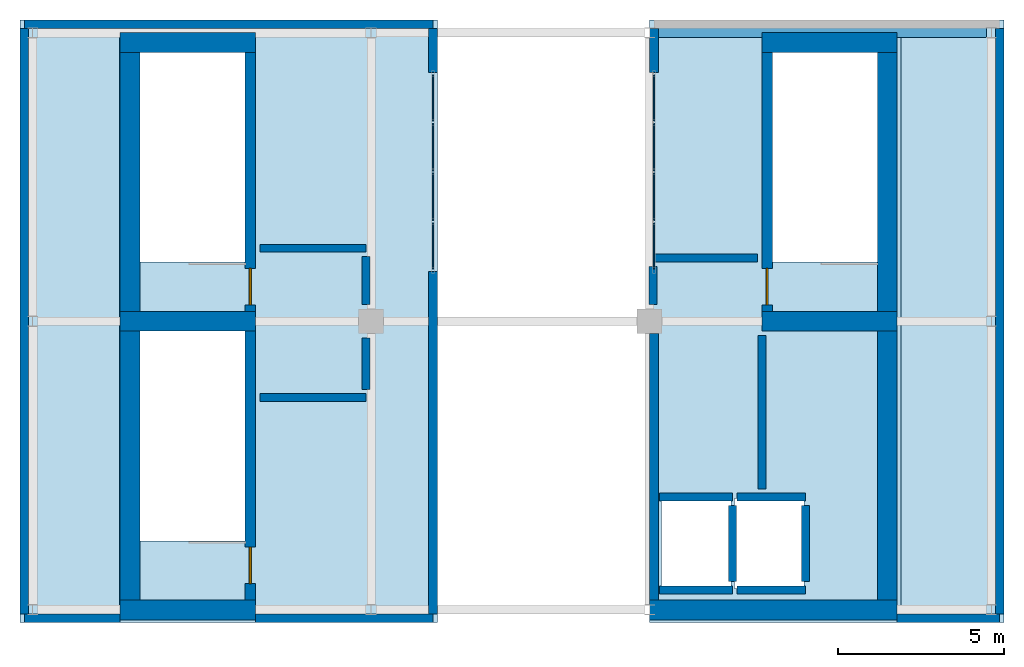
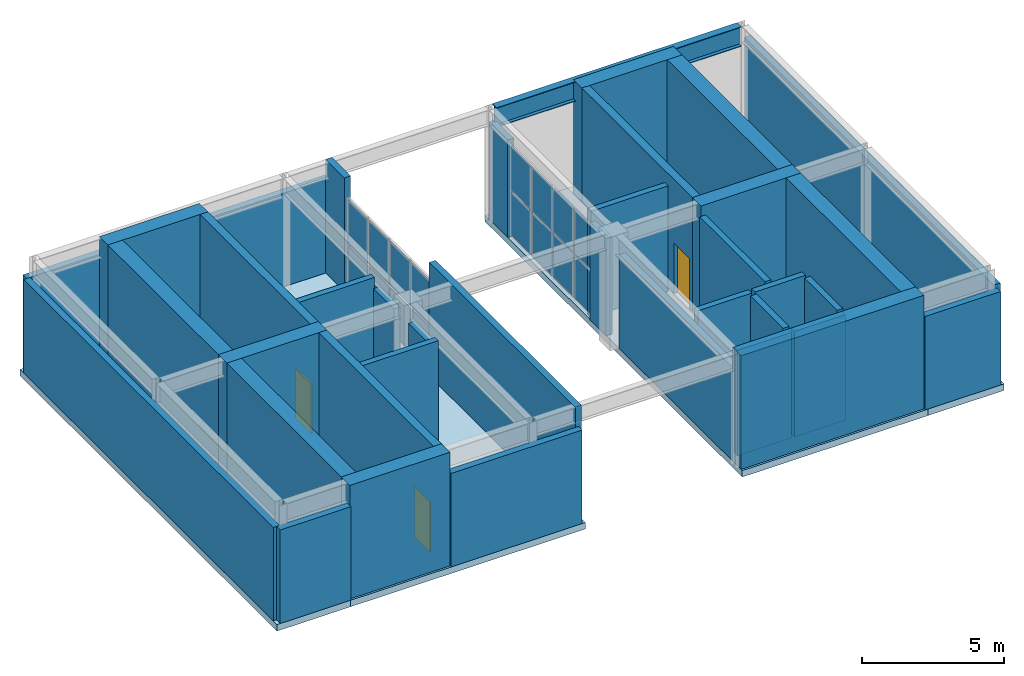
# One storey, part 7 of 9: 34 walls, 16 plates, 4 slabs, 3 doors, 1 beam, 3 openings, 2 elements without a shape of their own.
"""IFC4 building model written with IfcOpenShell, lengths in metres."""

from ifc_helpers import new_model, si_unit, direction, frame, frame_2d, origin, origin_2d, place, context, subcontext, project, spatial, polyline, rectangle, i_section, outline, extrude, material, layer, layer_set, material_profile, profile_set, type_object, element, fill, aggregate, save


model = new_model("IFC4")

# Units and contexts
model_context = context("Model", 3, precision=1e-05, world=origin(), true_north=direction((0.0, 1.0)))
body_context = subcontext(model_context, "Body", "Model", "MODEL_VIEW")
ifc_project = project(units=[si_unit("LENGTHUNIT", "METRE"), si_unit("AREAUNIT", "SQUARE_METRE"), si_unit("VOLUMEUNIT", "CUBIC_METRE"), si_unit("PLANEANGLEUNIT", "RADIAN"), si_unit("MASSUNIT", "GRAM", prefix="KILO")], contexts=[model_context])

# Site, building, storey
site_placement = place(None, origin())
site = spatial("IfcSite", under=ifc_project, at=site_placement, CompositionType="ELEMENT")
building_placement = place(site_placement, origin())
building = spatial("IfcBuilding", under=site, at=building_placement, Name="Solanera Arch Residences", CompositionType="ELEMENT")
storey_placement = place(building_placement, frame((0.0, 0.0, 297.679931640625)))
storey = spatial("IfcBuildingStorey", under=building, at=storey_placement, Name="L84", CompositionType="ELEMENT", Elevation=297.679931640625)

# Beam
ifc_material_1 = material(Name="Steel S355 (ASTM A992 / A572 Grade 50)", Category="steel")
ifc_material_profile = material_profile(ifc_material_1, i_section(OverallWidth=0.2939453125, OverallDepth=0.85107421875, WebThickness=0.01611328125, FlangeThickness=0.02685546875, at=origin_2d()))
ifc_profile_set = profile_set([ifc_material_profile], Name="Steel S355 (ASTM A992 / A572 Grade 50)")
beam_type = type_object("IfcBeamType", Name="Primary Beam W840X226", PredefinedType="BEAM", material=ifc_profile_set)
beam_placement = place(storey_placement, frame((29.35205078125, 39.39990234375, 4.47412109375), z_axis=(1.0, 0.0, 0.0), x_axis=(0.0, 1.0, 0.0)))
element("IfcBeam", 1, at=beam_placement, inside=storey, type_object=beam_type, Name="BM-L84-CR-EN", PredefinedType="BEAM", context=body_context, shape_type="SweptSolid", body=[
    extrude(i_section(OverallWidth=0.2939453125, OverallDepth=0.85107421875, WebThickness=0.01611328125, FlangeThickness=0.02685546875, at=origin_2d()), origin(), (0.0, 0.0, 1.0), 9.995849609375),
])

# Curtain wall, plates
ifc_material_2 = material(Name="Anodised Aluminium Alloy 6063-T6", Category="aluminium")
ifc_layer_1 = layer(ifc_material_2, 0.179931640625)
ifc_layer_set_1 = layer_set([ifc_layer_1], Name="Anodised Aluminium Alloy 6063-T6")
curtain_wall_type = type_object("IfcCurtainWallType", Name="CW-6 Split-Top Crown Lantern Curtain Wall", PredefinedType="USERDEFINED", material=ifc_layer_set_1)
curtain_wall_1_placement = place(storey_placement, origin())
curtain_wall_1 = element("IfcCurtainWall", 2, at=curtain_wall_1_placement, inside=storey, type_object=curtain_wall_type, Name="L84 W Crown Cleft Lantern Curtain Wall", ObjectType="CURTAIN_WALL", PredefinedType="USERDEFINED")
ifc_material_3 = material(Name="Double Glazed Low-E Laminated Glass", Category="glass")
ifc_layer_2 = layer(ifc_material_3, 0.035888671875)
ifc_layer_set_2 = layer_set([ifc_layer_2], Name="Double Glazed Low-E Laminated Glass")
plate_type = type_object("IfcPlateType", Name="Low-Iron Observatory Panel GL-36", PredefinedType="CURTAIN_PANEL", material=ifc_layer_set_2)
plate_1_placement = place(storey_placement, frame((22.669921875, 32.969970703125, 0.080078125), z_axis=(0.0, 0.0, 1.0), x_axis=(0.0, 1.0, 0.0)))
plate_1 = element("IfcPlate", 3, at=plate_1_placement, type_object=plate_type, Name="CW-6 panel 1.1", PredefinedType="CURTAIN_PANEL", context=body_context, shape_type="SweptSolid", body=[
    extrude(rectangle(XDim=1.3798828125, YDim=0.035888671875, at=origin_2d()), origin(), (0.0, 0.0, 1.0), 1.8798828125),
])
plate_2_placement = place(storey_placement, frame((22.669921875, 32.969970703125, 2.0400390625), z_axis=(0.0, 0.0, 1.0), x_axis=(0.0, 1.0, 0.0)))
plate_2 = element("IfcPlate", 4, at=plate_2_placement, type_object=plate_type, Name="CW-6 panel 1.2", PredefinedType="CURTAIN_PANEL", context=body_context, shape_type="SweptSolid", body=[
    extrude(rectangle(XDim=1.3798828125, YDim=0.035888671875, at=origin_2d()), origin(), (0.0, 0.0, 1.0), 1.919921875),
])
plate_3_placement = place(storey_placement, frame((22.669921875, 34.449951171875, 0.080078125), z_axis=(0.0, 0.0, 1.0), x_axis=(0.0, 1.0, 0.0)))
plate_3 = element("IfcPlate", 5, at=plate_3_placement, type_object=plate_type, Name="CW-6 panel 2.1", PredefinedType="CURTAIN_PANEL", context=body_context, shape_type="SweptSolid", body=[
    extrude(rectangle(XDim=1.419921875, YDim=0.035888671875, at=origin_2d()), origin(), (0.0, 0.0, 1.0), 1.8798828125),
])
plate_4_placement = place(storey_placement, frame((22.669921875, 34.449951171875, 2.0400390625), z_axis=(0.0, 0.0, 1.0), x_axis=(0.0, 1.0, 0.0)))
plate_4 = element("IfcPlate", 6, at=plate_4_placement, type_object=plate_type, Name="CW-6 panel 2.2", PredefinedType="CURTAIN_PANEL", context=body_context, shape_type="SweptSolid", body=[
    extrude(rectangle(XDim=1.419921875, YDim=0.035888671875, at=origin_2d()), origin(), (0.0, 0.0, 1.0), 1.919921875),
])
plate_5_placement = place(storey_placement, frame((22.669921875, 35.949951171875, 0.080078125), z_axis=(0.0, 0.0, 1.0), x_axis=(0.0, 1.0, 0.0)))
plate_5 = element("IfcPlate", 7, at=plate_5_placement, type_object=plate_type, Name="CW-6 panel 3.1", PredefinedType="CURTAIN_PANEL", context=body_context, shape_type="SweptSolid", body=[
    extrude(rectangle(XDim=1.419921875, YDim=0.035888671875, at=origin_2d()), origin(), (0.0, 0.0, 1.0), 1.8798828125),
])
plate_6_placement = place(storey_placement, frame((22.669921875, 35.949951171875, 2.0400390625), z_axis=(0.0, 0.0, 1.0), x_axis=(0.0, 1.0, 0.0)))
plate_6 = element("IfcPlate", 8, at=plate_6_placement, type_object=plate_type, Name="CW-6 panel 3.2", PredefinedType="CURTAIN_PANEL", context=body_context, shape_type="SweptSolid", body=[
    extrude(rectangle(XDim=1.419921875, YDim=0.035888671875, at=origin_2d()), origin(), (0.0, 0.0, 1.0), 1.919921875),
])
plate_7_placement = place(storey_placement, frame((22.669921875, 37.429931640625, 0.080078125), z_axis=(0.0, 0.0, 1.0), x_axis=(0.0, 1.0, 0.0)))
plate_7 = element("IfcPlate", 9, at=plate_7_placement, type_object=plate_type, Name="CW-6 panel 4.1", PredefinedType="CURTAIN_PANEL", context=body_context, shape_type="SweptSolid", body=[
    extrude(rectangle(XDim=1.3798828125, YDim=0.035888671875, at=origin_2d()), origin(), (0.0, 0.0, 1.0), 1.8798828125),
])
plate_8_placement = place(storey_placement, frame((22.669921875, 37.429931640625, 2.0400390625), z_axis=(0.0, 0.0, 1.0), x_axis=(0.0, 1.0, 0.0)))
plate_8 = element("IfcPlate", 10, at=plate_8_placement, type_object=plate_type, Name="CW-6 panel 4.2", PredefinedType="CURTAIN_PANEL", context=body_context, shape_type="SweptSolid", body=[
    extrude(rectangle(XDim=1.3798828125, YDim=0.035888671875, at=origin_2d()), origin(), (0.0, 0.0, 1.0), 1.919921875),
])
aggregate(curtain_wall_1, [plate_1, plate_2, plate_3, plate_4, plate_5, plate_6, plate_7, plate_8])

curtain_wall_2_placement = place(storey_placement, origin())
curtain_wall_2 = element("IfcCurtainWall", 11, at=curtain_wall_2_placement, inside=storey, type_object=curtain_wall_type, Name="L84 E Crown Cleft Lantern Curtain Wall", ObjectType="CURTAIN_WALL", PredefinedType="USERDEFINED")
plate_9_placement = place(storey_placement, frame((29.330078125, 32.969970703125, 0.080078125), z_axis=(0.0, 0.0, 1.0), x_axis=(0.0, 1.0, 0.0)))
plate_9 = element("IfcPlate", 12, at=plate_9_placement, type_object=plate_type, Name="CW-6 panel 1.1", PredefinedType="CURTAIN_PANEL", context=body_context, shape_type="SweptSolid", body=[
    extrude(rectangle(XDim=1.3798828125, YDim=0.035888671875, at=origin_2d()), origin(), (0.0, 0.0, 1.0), 1.8798828125),
])
plate_10_placement = place(storey_placement, frame((29.330078125, 32.969970703125, 2.0400390625), z_axis=(0.0, 0.0, 1.0), x_axis=(0.0, 1.0, 0.0)))
plate_10 = element("IfcPlate", 13, at=plate_10_placement, type_object=plate_type, Name="CW-6 panel 1.2", PredefinedType="CURTAIN_PANEL", context=body_context, shape_type="SweptSolid", body=[
    extrude(rectangle(XDim=1.3798828125, YDim=0.035888671875, at=origin_2d()), origin(), (0.0, 0.0, 1.0), 1.919921875),
])
plate_11_placement = place(storey_placement, frame((29.330078125, 34.449951171875, 0.080078125), z_axis=(0.0, 0.0, 1.0), x_axis=(0.0, 1.0, 0.0)))
plate_11 = element("IfcPlate", 14, at=plate_11_placement, type_object=plate_type, Name="CW-6 panel 2.1", PredefinedType="CURTAIN_PANEL", context=body_context, shape_type="SweptSolid", body=[
    extrude(rectangle(XDim=1.419921875, YDim=0.035888671875, at=origin_2d()), origin(), (0.0, 0.0, 1.0), 1.8798828125),
])
plate_12_placement = place(storey_placement, frame((29.330078125, 34.449951171875, 2.0400390625), z_axis=(0.0, 0.0, 1.0), x_axis=(0.0, 1.0, 0.0)))
plate_12 = element("IfcPlate", 15, at=plate_12_placement, type_object=plate_type, Name="CW-6 panel 2.2", PredefinedType="CURTAIN_PANEL", context=body_context, shape_type="SweptSolid", body=[
    extrude(rectangle(XDim=1.419921875, YDim=0.035888671875, at=origin_2d()), origin(), (0.0, 0.0, 1.0), 1.919921875),
])
plate_13_placement = place(storey_placement, frame((29.330078125, 35.949951171875, 0.080078125), z_axis=(0.0, 0.0, 1.0), x_axis=(0.0, 1.0, 0.0)))
plate_13 = element("IfcPlate", 16, at=plate_13_placement, type_object=plate_type, Name="CW-6 panel 3.1", PredefinedType="CURTAIN_PANEL", context=body_context, shape_type="SweptSolid", body=[
    extrude(rectangle(XDim=1.419921875, YDim=0.035888671875, at=origin_2d()), origin(), (0.0, 0.0, 1.0), 1.8798828125),
])
plate_14_placement = place(storey_placement, frame((29.330078125, 35.949951171875, 2.0400390625), z_axis=(0.0, 0.0, 1.0), x_axis=(0.0, 1.0, 0.0)))
plate_14 = element("IfcPlate", 17, at=plate_14_placement, type_object=plate_type, Name="CW-6 panel 3.2", PredefinedType="CURTAIN_PANEL", context=body_context, shape_type="SweptSolid", body=[
    extrude(rectangle(XDim=1.419921875, YDim=0.035888671875, at=origin_2d()), origin(), (0.0, 0.0, 1.0), 1.919921875),
])
plate_15_placement = place(storey_placement, frame((29.330078125, 37.429931640625, 0.080078125), z_axis=(0.0, 0.0, 1.0), x_axis=(0.0, 1.0, 0.0)))
plate_15 = element("IfcPlate", 18, at=plate_15_placement, type_object=plate_type, Name="CW-6 panel 4.1", PredefinedType="CURTAIN_PANEL", context=body_context, shape_type="SweptSolid", body=[
    extrude(rectangle(XDim=1.3798828125, YDim=0.035888671875, at=origin_2d()), origin(), (0.0, 0.0, 1.0), 1.8798828125),
])
plate_16_placement = place(storey_placement, frame((29.330078125, 37.429931640625, 2.0400390625), z_axis=(0.0, 0.0, 1.0), x_axis=(0.0, 1.0, 0.0)))
plate_16 = element("IfcPlate", 19, at=plate_16_placement, type_object=plate_type, Name="CW-6 panel 4.2", PredefinedType="CURTAIN_PANEL", context=body_context, shape_type="SweptSolid", body=[
    extrude(rectangle(XDim=1.3798828125, YDim=0.035888671875, at=origin_2d()), origin(), (0.0, 0.0, 1.0), 1.919921875),
])
aggregate(curtain_wall_2, [plate_9, plate_10, plate_11, plate_12, plate_13, plate_14, plate_15, plate_16])

# Slabs
ifc_material_4 = material(Name="Concrete C40/50 (f'c = 45 MPa)", Category="concrete")
ifc_layer_3 = layer(ifc_material_4, 0.239990234375)
ifc_layer_set_3 = layer_set([ifc_layer_3], Name="Concrete C40/50 (f'c = 45 MPa)")
slab_type_1 = type_object("IfcSlabType", Name="Roof Deck Slab 240", PredefinedType="ROOF", material=ifc_layer_set_3)
slab_1_placement = place(storey_placement, frame((0.0, 0.0, -0.280029296875)))
element("IfcSlab", 20, at=slab_1_placement, inside=storey, type_object=slab_type_1, Name="L84 Crown Peak Plenum Deck WO", PredefinedType="ROOF", context=body_context, shape_type="SweptSolid", body=[
    extrude(outline(polyline([(13.219970703125, 21.6201171875), (13.219970703125, 39.780029296875), (10.219970703125, 39.780029296875), (10.219970703125, 21.6201171875), (13.219970703125, 21.6201171875)])), origin(), (0.0, 0.0, 1.0), 0.280029296875),
])
slab_2_placement = place(storey_placement, frame((0.0, 0.0, -0.280029296875)))
element("IfcSlab", 21, at=slab_2_placement, inside=storey, type_object=slab_type_1, Name="L84 Crown Peak Plenum Deck EO", PredefinedType="ROOF", context=body_context, shape_type="SweptSolid", body=[
    extrude(outline(polyline([(39.8798828125, 21.6201171875), (39.8798828125, 39.780029296875), (36.780029296875, 39.780029296875), (36.780029296875, 21.6201171875), (39.8798828125, 21.6201171875)])), origin(), (0.0, 0.0, 1.0), 0.280029296875),
])
ifc_material_5 = material(Name="Concrete C40/50 (f'c = 45 MPa)", Category="concrete")
ifc_layer_4 = layer(ifc_material_5, 0.280029296875)
ifc_layer_set_4 = layer_set([ifc_layer_4], Name="Concrete C40/50 (f'c = 45 MPa)")
slab_type_2 = type_object("IfcSlabType", Name="Suspended Floor Slab Post-Tensioned 280", PredefinedType="FLOOR", material=ifc_layer_set_4)
slab_3_placement = place(storey_placement, frame((0.0, 0.0, -0.280029296875)))
element("IfcSlab", 22, at=slab_3_placement, inside=storey, type_object=slab_type_2, Name="L84 West Crown Core Landing Slab", PredefinedType="FLOOR", context=body_context, shape_type="SweptSolid", body=[
    extrude(outline(polyline([(22.800048828125, 21.6201171875), (22.800048828125, 39.780029296875), (13.199951171875, 39.780029296875), (13.199951171875, 21.6201171875), (22.800048828125, 21.6201171875)]), holes=[polyline([(13.840087890625, 32.48291015625), (13.840087890625, 38.800048828125), (17.0, 38.800048828125), (17.0, 32.48291015625), (13.840087890625, 32.48291015625)]), polyline([(13.840087890625, 24.0830078125), (13.840087890625, 30.39990234375), (17.0, 30.39990234375), (17.0, 24.0830078125), (13.840087890625, 24.0830078125)])]), origin(), (0.0, 0.0, 1.0), 0.280029296875),
])
slab_4_placement = place(storey_placement, frame((0.0, 0.0, -0.280029296875)))
element("IfcSlab", 23, at=slab_4_placement, inside=storey, type_object=slab_type_2, Name="L84 East Crown Core Landing Slab", PredefinedType="FLOOR", context=body_context, shape_type="SweptSolid", body=[
    extrude(outline(polyline([(36.800048828125, 21.6201171875), (36.800048828125, 39.780029296875), (29.199951171875, 39.780029296875), (29.199951171875, 21.6201171875), (36.800048828125, 21.6201171875)]), holes=[polyline([(32.89990234375, 32.48291015625), (32.89990234375, 38.800048828125), (36.06005859375, 38.800048828125), (36.06005859375, 32.48291015625), (32.89990234375, 32.48291015625)]), polyline([(29.550048828125, 25.35009765625), (31.64990234375, 25.35009765625), (31.64990234375, 22.64990234375), (29.550048828125, 22.64990234375), (29.550048828125, 25.35009765625)]), polyline([(31.75, 25.35009765625), (33.85009765625, 25.35009765625), (33.85009765625, 22.64990234375), (31.75, 22.64990234375), (31.75, 25.35009765625)])]), origin(), (0.0, 0.0, 1.0), 0.280029296875),
])

# Wall, opening, door
ifc_material_6 = material(Name="Concrete C40/50 (f'c = 45 MPa)", Category="concrete")
ifc_layer_5 = layer(ifc_material_6, 0.320068359375)
ifc_layer_set_5 = layer_set([ifc_layer_5], Name="Concrete C40/50 (f'c = 45 MPa)")
wall_type_1 = type_object("IfcWallType", Name="Core Shear Wall CW-320", PredefinedType="SHEAR", material=ifc_layer_set_5)
wall_1_placement = place(storey_placement, frame((17.159912109375, 31.0, 0.0), z_axis=(0.0, 0.0, 1.0), x_axis=(0.0, 1.0, 0.0)))
wall_1 = element("IfcWall", 24, at=wall_1_placement, inside=storey, type_object=wall_type_1, Name="L84 Stair ST-T1 East Shear Wall", PredefinedType="SHEAR", context=body_context, shape_type="SweptSolid", body=[
    extrude(rectangle(XDim=7.800048828125, YDim=0.320068359375, at=frame_2d((3.89990234375, 0.0))), origin(), (0.0, 0.0, 1.0), 4.900146484375),
])
opening_1_placement = place(wall_1_placement, frame((0.18994140625, 0.0, 0.0)))
opening_1 = element("IfcOpeningElement", 25, at=opening_1_placement, cuts=wall_1, Name="Opening DF-01", PredefinedType="OPENING", context=body_context, shape_type="SweptSolid", body=[
    extrude(rectangle(XDim=1.10009765625, YDim=2.14990234375, at=frame_2d((0.550048828125, 1.074951171875))), frame((0.0, 0.169921875, 0.0), z_axis=(0.0, -1.0, 0.0), x_axis=(1.0, 0.0, 0.0)), (0.0, 0.0, 1.0), 0.3401),
])
ifc_material_7 = material(Name="Fire-Rated Architectural Hardwood", Category="wood")
door_type = type_object("IfcDoorType", Name="Stair Exit Fire Door DF-01", OperationType="NOTDEFINED", PredefinedType="DOOR", material=ifc_material_7)
door_1_placement = place(opening_1_placement, origin())
door_1 = element("IfcDoor", 26, at=door_1_placement, inside=storey, type_object=door_type, Name="DR-L84-STAIR-ST-T1", OperationType="SINGLE_SWING_RIGHT", OverallHeight=2.14990234375, OverallWidth=1.10009765625, PredefinedType="DOOR", context=body_context, shape_type="SweptSolid", body=[
    extrude(rectangle(XDim=1.10009765625, YDim=2.14990234375, at=frame_2d((0.550048828125, 1.074951171875))), frame((0.0, 0.02490234375, 0.0), z_axis=(0.0, -1.0, 0.0), x_axis=(1.0, 0.0, 0.0)), (0.0, 0.0, 1.0), 0.050048828125),
])
fill(opening_1, door_1)

wall_2_placement = place(storey_placement, frame((17.159912109375, 22.300048828125, 0.0), z_axis=(0.0, 0.0, 1.0), x_axis=(0.0, 1.0, 0.0)))
wall_2 = element("IfcWall", 27, at=wall_2_placement, inside=storey, type_object=wall_type_1, Name="L84 Stair ST-T3 East Shear Wall", PredefinedType="SHEAR", context=body_context, shape_type="SweptSolid", body=[
    extrude(rectangle(XDim=8.099853515625, YDim=0.320068359375, at=frame_2d((4.0498046875, 0.0))), origin(), (0.0, 0.0, 1.0), 4.900146484375),
])
opening_2_placement = place(wall_2_placement, frame((0.489990234375, 0.0, 0.0)))
opening_2 = element("IfcOpeningElement", 28, at=opening_2_placement, cuts=wall_2, Name="Opening DF-01", PredefinedType="OPENING", context=body_context, shape_type="SweptSolid", body=[
    extrude(rectangle(XDim=1.10009765625, YDim=2.14990234375, at=frame_2d((0.550048828125, 1.074951171875))), frame((0.0, 0.169921875, 0.0), z_axis=(0.0, -1.0, 0.0), x_axis=(1.0, 0.0, 0.0)), (0.0, 0.0, 1.0), 0.3401),
])
door_2_placement = place(opening_2_placement, origin())
door_2 = element("IfcDoor", 29, at=door_2_placement, inside=storey, type_object=door_type, Name="DR-L84-STAIR-ST-T3", OperationType="SINGLE_SWING_RIGHT", OverallHeight=2.14990234375, OverallWidth=1.10009765625, PredefinedType="DOOR", context=body_context, shape_type="SweptSolid", body=[
    extrude(rectangle(XDim=1.10009765625, YDim=2.14990234375, at=frame_2d((0.550048828125, 1.074951171875))), frame((0.0, 0.02490234375, 0.0), z_axis=(0.0, -1.0, 0.0), x_axis=(1.0, 0.0, 0.0)), (0.0, 0.0, 1.0), 0.050048828125),
])
fill(opening_2, door_2)

wall_3_placement = place(storey_placement, frame((32.739990234375, 31.0, 0.0), z_axis=(0.0, 0.0, 1.0), x_axis=(0.0, 1.0, 0.0)))
wall_3 = element("IfcWall", 30, at=wall_3_placement, inside=storey, type_object=wall_type_1, Name="L84 Stair ST-T2 West Shear Wall", PredefinedType="SHEAR", context=body_context, shape_type="SweptSolid", body=[
    extrude(rectangle(XDim=7.800048828125, YDim=0.320068359375, at=frame_2d((3.89990234375, 0.0))), origin(), (0.0, 0.0, 1.0), 4.900146484375),
])
opening_3_placement = place(wall_3_placement, frame((0.18994140625, 0.0, 0.0)))
opening_3 = element("IfcOpeningElement", 31, at=opening_3_placement, cuts=wall_3, Name="Opening DF-01", PredefinedType="OPENING", context=body_context, shape_type="SweptSolid", body=[
    extrude(rectangle(XDim=1.10009765625, YDim=2.14990234375, at=frame_2d((0.550048828125, 1.074951171875))), frame((0.0, 0.169921875, 0.0), z_axis=(0.0, -1.0, 0.0), x_axis=(1.0, 0.0, 0.0)), (0.0, 0.0, 1.0), 0.3401),
])
door_3_placement = place(opening_3_placement, origin())
door_3 = element("IfcDoor", 32, at=door_3_placement, inside=storey, type_object=door_type, Name="DR-L84-STAIR-ST-T2", OperationType="SINGLE_SWING_LEFT", OverallHeight=2.14990234375, OverallWidth=1.10009765625, PredefinedType="DOOR", context=body_context, shape_type="SweptSolid", body=[
    extrude(rectangle(XDim=1.10009765625, YDim=2.14990234375, at=frame_2d((0.550048828125, 1.074951171875))), frame((0.0, 0.02490234375, 0.0), z_axis=(0.0, -1.0, 0.0), x_axis=(1.0, 0.0, 0.0)), (0.0, 0.0, 1.0), 0.050048828125),
])
fill(opening_3, door_3)

# Walls
ifc_material_8 = material(Name="Concrete C40/50 (f'c = 45 MPa)", Category="concrete")
ifc_layer_6 = layer(ifc_material_8, 0.60009765625)
ifc_layer_set_6 = layer_set([ifc_layer_6], Name="Concrete C40/50 (f'c = 45 MPa)")
wall_type_2 = type_object("IfcWallType", Name="Core Shear Wall CW-600", PredefinedType="SHEAR", material=ifc_layer_set_6)
wall_4_placement = place(storey_placement, frame((13.5400390625, 22.0, 0.0), z_axis=(0.0, 0.0, 1.0), x_axis=(0.0, 1.0, 0.0)))
element("IfcWall", 33, at=wall_4_placement, inside=storey, type_object=wall_type_2, Name="L84 West Core Shear Wall", PredefinedType="SHEAR", context=body_context, shape_type="SweptSolid", body=[
    extrude(rectangle(XDim=17.39990234375, YDim=0.60009765625, at=frame_2d((8.699951171875, 0.0))), origin(), (0.0, 0.0, 1.0), 4.900146484375),
])
for number, where, z_axis, x_axis, name in (
    (34, (13.239990234375, 22.0, 0.0), (0.0, 0.0, 1.0), (1.0, 0.0, 0.0), "L84 South-West Core Shear Wall"),
    (35, (13.239990234375, 39.10009765625, 0.0), (0.0, 0.0, 1.0), (1.0, 0.0, 0.0), "L84 North-West Core Shear Wall"),
    (36, (13.239990234375, 30.699951171875, 0.0), (0.0, 0.0, 1.0), (1.0, 0.0, 0.0), "L84 West Stair Divider Shear Wall"),
):
    element("IfcWall", number, at=place(storey_placement, frame(where, z_axis=z_axis, x_axis=x_axis)), inside=storey, type_object=wall_type_2, Name=name, PredefinedType="SHEAR", context=body_context, shape_type="SweptSolid", body=[
        extrude(rectangle(XDim=4.080078125, YDim=0.60009765625, at=frame_2d((2.0400390625, 0.0))), origin(), (0.0, 0.0, 1.0), 4.900146484375),
    ])
wall_5_placement = place(storey_placement, frame((36.360107421875, 22.0, 0.0), z_axis=(0.0, 0.0, 1.0), x_axis=(0.0, 1.0, 0.0)))
element("IfcWall", 37, at=wall_5_placement, inside=storey, type_object=wall_type_2, Name="L84 East Core Shear Wall", PredefinedType="SHEAR", context=body_context, shape_type="SweptSolid", body=[
    extrude(rectangle(XDim=17.39990234375, YDim=0.60009765625, at=frame_2d((8.699951171875, 0.0))), origin(), (0.0, 0.0, 1.0), 4.900146484375),
])
wall_6_placement = place(storey_placement, frame((29.199951171875, 22.0, 0.0), z_axis=(0.0, 0.0, 1.0), x_axis=(1.0, 0.0, 0.0)))
element("IfcWall", 38, at=wall_6_placement, inside=storey, type_object=wall_type_2, Name="L84 South-East Core Shear Wall", PredefinedType="SHEAR", context=body_context, shape_type="SweptSolid", body=[
    extrude(rectangle(XDim=7.4599609375, YDim=0.60009765625, at=frame_2d((3.72998046875, 0.0))), origin(), (0.0, 0.0, 1.0), 4.900146484375),
])
for number, where, z_axis, x_axis, name in (
    (39, (32.580078125, 39.10009765625, 0.0), (0.0, 0.0, 1.0), (1.0, 0.0, 0.0), "L84 North-East Core Shear Wall"),
    (40, (32.580078125, 30.699951171875, 0.0), (0.0, 0.0, 1.0), (1.0, 0.0, 0.0), "L84 East Stair Far-Landing Shear Wall"),
):
    element("IfcWall", number, at=place(storey_placement, frame(where, z_axis=z_axis, x_axis=x_axis)), inside=storey, type_object=wall_type_2, Name=name, PredefinedType="SHEAR", context=body_context, shape_type="SweptSolid", body=[
        extrude(rectangle(XDim=4.079833984375, YDim=0.60009765625, at=frame_2d((2.0400390625, 0.0))), origin(), (0.0, 0.0, 1.0), 4.900146484375),
    ])
ifc_material_9 = material(Name="Precast Concrete C35/45", Category="concrete")
ifc_layer_7 = layer(ifc_material_9, 0.260009765625)
ifc_layer_set_7 = layer_set([ifc_layer_7], Name="Precast Concrete C35/45")
wall_type_3 = type_object("IfcWallType", Name="Exterior Wall Precast Masonry-Frame 260", PredefinedType="STANDARD", material=ifc_layer_set_7)
wall_7_placement = place(storey_placement, frame((22.669921875, 21.75, 0.0), z_axis=(0.0, 0.0, 1.0), x_axis=(-1.0, 0.0, 0.0)))
element("IfcWall", 41, at=wall_7_placement, inside=storey, type_object=wall_type_3, Name="L84 W Crown Peak South Precast Wall 1", PredefinedType="STANDARD", context=body_context, shape_type="SweptSolid", body=[
    extrude(rectangle(XDim=5.349853515625, YDim=0.260009765625, at=frame_2d((2.6748046875, 0.0))), origin(), (0.0, 0.0, 1.0), 4.0341796875),
])
wall_8_placement = place(storey_placement, frame((13.239990234375, 21.75, 0.0), z_axis=(0.0, 0.0, 1.0), x_axis=(-1.0, 0.0, 0.0)))
element("IfcWall", 42, at=wall_8_placement, inside=storey, type_object=wall_type_3, Name="L84 W Crown Peak South Precast Wall 2", PredefinedType="STANDARD", context=body_context, shape_type="SweptSolid", body=[
    extrude(rectangle(XDim=2.889892578125, YDim=0.260009765625, at=frame_2d((1.44482421875, 0.0))), origin(), (0.0, 0.0, 1.0), 4.0341796875),
])
wall_9_placement = place(storey_placement, frame((10.35009765625, 39.64990234375, 0.0), z_axis=(0.0, 0.0, 1.0), x_axis=(1.0, 0.0, 0.0)))
element("IfcWall", 43, at=wall_9_placement, inside=storey, type_object=wall_type_3, Name="L84 W Crown Peak North Precast Wall", PredefinedType="STANDARD", context=body_context, shape_type="SweptSolid", body=[
    extrude(rectangle(XDim=12.31982421875, YDim=0.260009765625, at=frame_2d((6.159912109375, 0.0))), origin(), (0.0, 0.0, 1.0), 4.0341796875),
])
wall_10_placement = place(storey_placement, frame((10.35009765625, 21.8798828125, 0.0), z_axis=(0.0, 0.0, 1.0), x_axis=(0.0, 1.0, 0.0)))
element("IfcWall", 44, at=wall_10_placement, inside=storey, type_object=wall_type_3, Name="L84 W Crown Peak Outer Precast Wall", PredefinedType="STANDARD", context=body_context, shape_type="SweptSolid", body=[
    extrude(rectangle(XDim=17.64013671875, YDim=0.260009765625, at=frame_2d((8.820068359375, 0.0))), origin(), (0.0, 0.0, 1.0), 4.0341796875),
])
wall_11_placement = place(storey_placement, frame((22.669921875, 21.8798828125, 0.0), z_axis=(0.0, 0.0, 1.0), x_axis=(0.0, 1.0, 0.0)))
element("IfcWall", 45, at=wall_11_placement, inside=storey, type_object=wall_type_3, Name="L84 W Cleft Cheek South Wall", PredefinedType="STANDARD", context=body_context, shape_type="SweptSolid", body=[
    extrude(rectangle(XDim=10.320068359375, YDim=0.260009765625, at=frame_2d((5.16015625, 0.0))), origin(), (0.0, 0.0, 1.0), 4.900146484375),
])
wall_12_placement = place(storey_placement, frame((22.669921875, 38.199951171875, 0.0), z_axis=(0.0, 0.0, 1.0), x_axis=(0.0, 1.0, 0.0)))
element("IfcWall", 46, at=wall_12_placement, inside=storey, type_object=wall_type_3, Name="L84 W Cleft Cheek North Wall", PredefinedType="STANDARD", context=body_context, shape_type="SweptSolid", body=[
    extrude(rectangle(XDim=1.320068359375, YDim=0.260009765625, at=frame_2d((0.66015625, 0.0))), origin(), (0.0, 0.0, 1.0), 4.900146484375),
])
wall_13_placement = place(storey_placement, frame((39.75, 21.75, 0.0), z_axis=(0.0, 0.0, 1.0), x_axis=(-1.0, 0.0, 0.0)))
element("IfcWall", 47, at=wall_13_placement, inside=storey, type_object=wall_type_3, Name="L84 E Crown Peak South Precast Wall", PredefinedType="STANDARD", context=body_context, shape_type="SweptSolid", body=[
    extrude(rectangle(XDim=3.090087890625, YDim=0.260009765625, at=frame_2d((1.544921875, 0.0))), origin(), (0.0, 0.0, 1.0), 4.0341796875),
])
wall_14_placement = place(storey_placement, frame((39.75, 39.52001953125, 0.0), z_axis=(0.0, 0.0, 1.0), x_axis=(0.0, -1.0, 0.0)))
element("IfcWall", 48, at=wall_14_placement, inside=storey, type_object=wall_type_3, Name="L84 E Crown Peak Outer Precast Wall", PredefinedType="STANDARD", context=body_context, shape_type="SweptSolid", body=[
    extrude(rectangle(XDim=17.64013671875, YDim=0.260009765625, at=frame_2d((8.820068359375, 0.0))), origin(), (0.0, 0.0, 1.0), 4.192138671875),
])
wall_15_placement = place(storey_placement, frame((29.330078125, 22.300048828125, 0.0), z_axis=(0.0, 0.0, 1.0), x_axis=(0.0, 1.0, 0.0)))
element("IfcWall", 49, at=wall_15_placement, inside=storey, type_object=wall_type_3, Name="L84 E Cleft Cheek South Wall", PredefinedType="STANDARD", context=body_context, shape_type="SweptSolid", body=[
    extrude(rectangle(XDim=8.02490234375, YDim=0.260009765625, at=frame_2d((4.012451171875, 0.0))), origin(), (0.0, 0.0, 1.0), 4.0341796875),
])
wall_16_placement = place(storey_placement, frame((29.330078125, 38.199951171875, 0.0), z_axis=(0.0, 0.0, 1.0), x_axis=(0.0, 1.0, 0.0)))
element("IfcWall", 50, at=wall_16_placement, inside=storey, type_object=wall_type_3, Name="L84 E Cleft Cheek North Wall", PredefinedType="STANDARD", context=body_context, shape_type="SweptSolid", body=[
    extrude(rectangle(XDim=1.320068359375, YDim=0.260009765625, at=frame_2d((0.66015625, 0.0))), origin(), (0.0, 0.0, 1.0), 4.192138671875),
])
ifc_material_10 = material(Name="Autoclaved Aerated Concrete Blockwork", Category="masonry")
ifc_layer_8 = layer(ifc_material_10, 0.239990234375)
ifc_layer_set_8 = layer_set([ifc_layer_8], Name="Autoclaved Aerated Concrete Blockwork")
wall_type_4 = type_object("IfcWallType", Name="Shaft Wall Fire-Rated 240", PredefinedType="PARTITIONING", material=ifc_layer_set_8)
for number, where, z_axis, x_axis, name in (
    (51, (29.5, 22.60009765625, 0.0), (0.0, 0.0, 1.0), (1.0, 0.0, 0.0), "L84 Lift FFL-1 Hoistway Wall S"),
    (52, (29.5, 25.39990234375, 0.0), (0.0, 0.0, 1.0), (1.0, 0.0, 0.0), "L84 Lift FFL-1 Hoistway Wall N"),
):
    element("IfcWall", number, at=place(storey_placement, frame(where, z_axis=z_axis, x_axis=x_axis)), inside=storey, type_object=wall_type_4, Name=name, PredefinedType="PARTITIONING", context=body_context, shape_type="SweptSolid", body=[
        extrude(rectangle(XDim=2.199951171875, YDim=0.239990234375, at=frame_2d((1.10009765625, 0.0))), origin(), (0.0, 0.0, 1.0), 4.56005859375),
    ])
wall_17_placement = place(storey_placement, frame((31.699951171875, 22.847900390625, 0.0), z_axis=(0.0, 0.0, 1.0), x_axis=(0.0, 1.0, 0.0)))
element("IfcWall", 53, at=wall_17_placement, inside=storey, type_object=wall_type_4, Name="L84 Lift FFL-1 Hoistway Wall E", PredefinedType="PARTITIONING", context=body_context, shape_type="SweptSolid", body=[
    extrude(rectangle(XDim=2.30419921875, YDim=0.239990234375, at=frame_2d((1.152099609375, 0.0))), origin(), (0.0, 0.0, 1.0), 4.56005859375),
])
for number, where, z_axis, x_axis, name in (
    (54, (31.827880859375, 22.60009765625, 0.0), (0.0, 0.0, 1.0), (1.0, 0.0, 0.0), "L84 Lift FFL-2 Hoistway Wall S"),
    (55, (31.827880859375, 25.39990234375, 0.0), (0.0, 0.0, 1.0), (1.0, 0.0, 0.0), "L84 Lift FFL-2 Hoistway Wall N"),
):
    element("IfcWall", number, at=place(storey_placement, frame(where, z_axis=z_axis, x_axis=x_axis)), inside=storey, type_object=wall_type_4, Name=name, PredefinedType="PARTITIONING", context=body_context, shape_type="SweptSolid", body=[
        extrude(rectangle(XDim=2.072021484375, YDim=0.239990234375, at=frame_2d((1.0361328125, 0.0))), origin(), (0.0, 0.0, 1.0), 4.56005859375),
    ])
wall_18_placement = place(storey_placement, frame((33.89990234375, 22.847900390625, 0.0), z_axis=(0.0, 0.0, 1.0), x_axis=(0.0, 1.0, 0.0)))
element("IfcWall", 56, at=wall_18_placement, inside=storey, type_object=wall_type_4, Name="L84 Lift FFL-2 Hoistway Wall E", PredefinedType="PARTITIONING", context=body_context, shape_type="SweptSolid", body=[
    extrude(rectangle(XDim=2.30419921875, YDim=0.239990234375, at=frame_2d((1.152099609375, 0.0))), origin(), (0.0, 0.0, 1.0), 4.56005859375),
])
wall_19_placement = place(storey_placement, frame((17.449951171875, 28.39990234375, 0.0), z_axis=(0.0, 0.0, 1.0), x_axis=(1.0, 0.0, 0.0)))
element("IfcWall", 57, at=wall_19_placement, inside=storey, type_object=wall_type_4, Name="L84 Interior Partition H2", PredefinedType="PARTITIONING", context=body_context, shape_type="SweptSolid", body=[
    extrude(rectangle(XDim=3.199951171875, YDim=0.239990234375, at=frame_2d((1.60009765625, 0.0))), origin(), (0.0, 0.0, 1.0), 4.56005859375),
])
wall_20_placement = place(storey_placement, frame((29.300048828125, 32.60009765625, 0.0), z_axis=(0.0, 0.0, 1.0), x_axis=(1.0, 0.0, 0.0)))
element("IfcWall", 58, at=wall_20_placement, inside=storey, type_object=wall_type_4, Name="L84 Interior Partition H3", PredefinedType="PARTITIONING", context=body_context, shape_type="SweptSolid", body=[
    extrude(rectangle(XDim=3.14990234375, YDim=0.239990234375, at=frame_2d((1.574951171875, 0.0))), origin(), (0.0, 0.0, 1.0), 4.56005859375),
])
wall_21_placement = place(storey_placement, frame((17.449951171875, 32.89990234375, 0.0), z_axis=(0.0, 0.0, 1.0), x_axis=(1.0, 0.0, 0.0)))
element("IfcWall", 59, at=wall_21_placement, inside=storey, type_object=wall_type_4, Name="L84 Interior Partition H4", PredefinedType="PARTITIONING", context=body_context, shape_type="SweptSolid", body=[
    extrude(rectangle(XDim=3.199951171875, YDim=0.239990234375, at=frame_2d((1.60009765625, 0.0))), origin(), (0.0, 0.0, 1.0), 4.56005859375),
])
wall_22_placement = place(storey_placement, frame((20.64990234375, 28.64794921875, 0.0), z_axis=(0.0, 0.0, 1.0), x_axis=(0.0, 1.0, 0.0)))
element("IfcWall", 60, at=wall_22_placement, inside=storey, type_object=wall_type_4, Name="L84 Interior Partition V2 1", PredefinedType="PARTITIONING", context=body_context, shape_type="SweptSolid", body=[
    extrude(rectangle(XDim=1.545166015625, YDim=0.239990234375, at=frame_2d((0.7724609375, 0.0))), origin(), (0.0, 0.0, 1.0), 4.192138671875),
])
wall_23_placement = place(storey_placement, frame((20.64990234375, 31.20703125, 0.0), z_axis=(0.0, 0.0, 1.0), x_axis=(0.0, 1.0, 0.0)))
element("IfcWall", 61, at=wall_23_placement, inside=storey, type_object=wall_type_4, Name="L84 Interior Partition V2 2", PredefinedType="PARTITIONING", context=body_context, shape_type="SweptSolid", body=[
    extrude(rectangle(XDim=1.445068359375, YDim=0.239990234375, at=frame_2d((0.72265625, 0.0))), origin(), (0.0, 0.0, 1.0), 4.192138671875),
])
wall_24_placement = place(storey_placement, frame((29.300048828125, 31.20703125, 0.0), z_axis=(0.0, 0.0, 1.0), x_axis=(0.0, 1.0, 0.0)))
element("IfcWall", 62, at=wall_24_placement, inside=storey, type_object=wall_type_4, Name="L84 Interior Partition V3", PredefinedType="PARTITIONING", context=body_context, shape_type="SweptSolid", body=[
    extrude(rectangle(XDim=1.14501953125, YDim=0.239990234375, at=frame_2d((0.572509765625, 0.0))), origin(), (0.0, 0.0, 1.0), 4.192138671875),
])
wall_25_placement = place(storey_placement, frame((32.580078125, 25.64794921875, 0.0), z_axis=(0.0, 0.0, 1.0), x_axis=(0.0, 1.0, 0.0)))
element("IfcWall", 63, at=wall_25_placement, inside=storey, type_object=wall_type_4, Name="L84 Interior Partition V4", PredefinedType="PARTITIONING", context=body_context, shape_type="SweptSolid", body=[
    extrude(rectangle(XDim=4.6220703125, YDim=0.239990234375, at=frame_2d((2.31103515625, 0.0))), origin(), (0.0, 0.0, 1.0), 4.56005859375),
])

save(model, "model.ifc")
